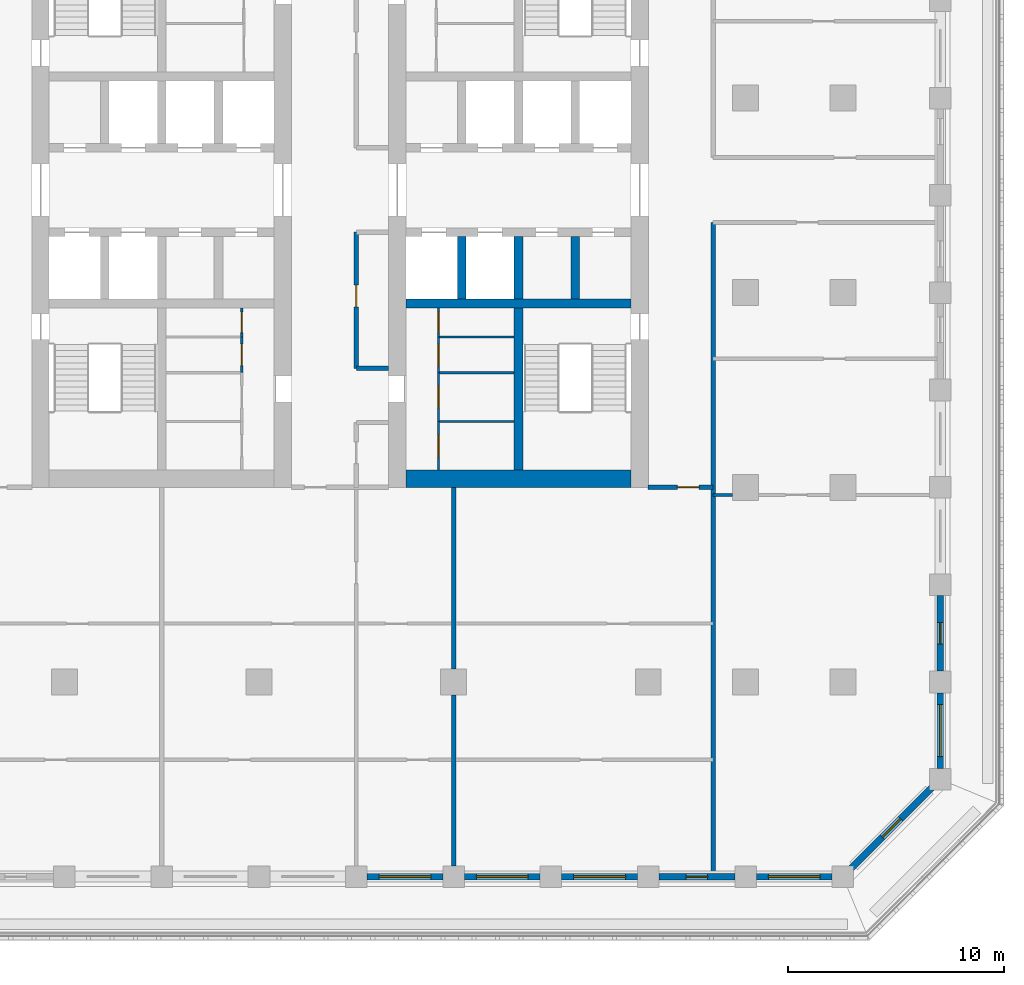
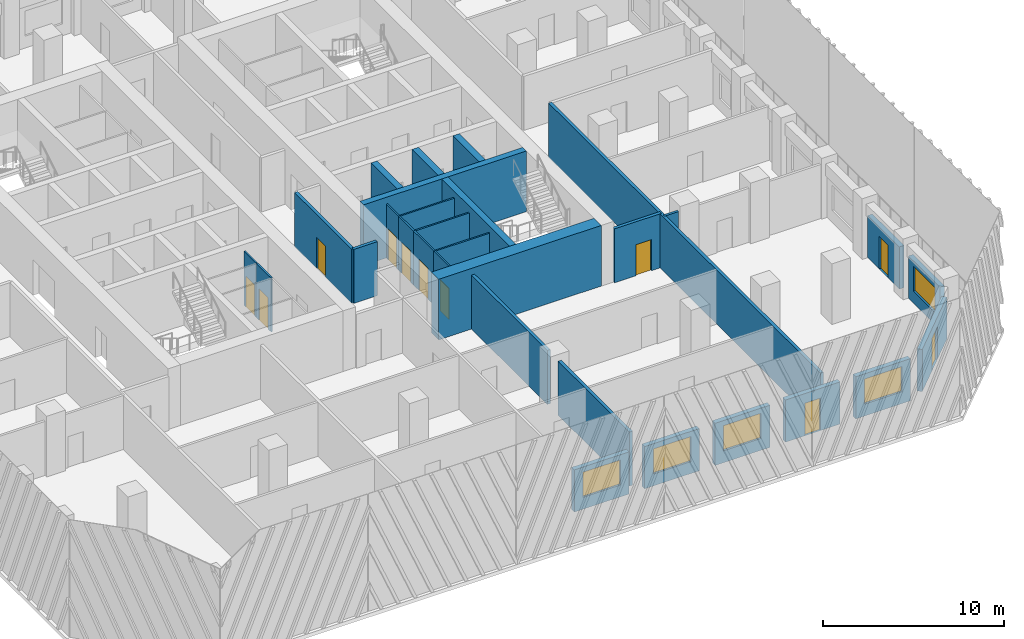
# One storey, part 4 of 17: 30 walls, 11 doors, 5 windows, 16 openings.
"""IFC4 building model written with IfcOpenShell, lengths in metres."""

from ifc_helpers import new_model, si_unit, direction, frame, frame_2d, origin, place, context, subcontext, project, spatial, rectangle, extrude, material, layer, layer_set, type_object, element, fill, save


model = new_model("IFC4")

# Units and contexts
model_context = context("Model", 3, precision=1e-05, world=origin(), true_north=direction((0.0, 1.0)))
body_context = subcontext(model_context, "Body", "Model", "MODEL_VIEW")
ifc_project = project(units=[si_unit("LENGTHUNIT", "METRE"), si_unit("AREAUNIT", "SQUARE_METRE"), si_unit("VOLUMEUNIT", "CUBIC_METRE"), si_unit("PLANEANGLEUNIT", "RADIAN"), si_unit("MASSUNIT", "GRAM", prefix="KILO")], contexts=[model_context])

# Site, building, storey
site_placement = place(None, origin())
site = spatial("IfcSite", under=ifc_project, at=site_placement, CompositionType="ELEMENT")
building_placement = place(site_placement, origin())
building = spatial("IfcBuilding", under=site, at=building_placement, Name="Corbel Stack Research Tower", CompositionType="ELEMENT")
storey_placement = place(building_placement, frame((0.0, 0.0, 207.89990234375)))
storey = spatial("IfcBuildingStorey", under=building, at=storey_placement, Name="L47", CompositionType="ELEMENT", Elevation=207.89990234375)

# Walls
ifc_material_1 = material(Name="Concrete C60/75", Category="concrete")
ifc_layer_1 = layer(ifc_material_1, 0.39990234375)
ifc_layer_set_1 = layer_set([ifc_layer_1], Name="Concrete C60/75")
wall_type_1 = type_object("IfcWallType", Name="CW-400-60", PredefinedType="SHEAR", material=ifc_layer_set_1)
wall_1_placement = place(storey_placement, frame((6.800048828125, -0.5, 0.0), z_axis=(0.0, 0.0, 1.0), x_axis=(1.0, 0.0, 0.0)))
element("IfcWall", 1, at=wall_1_placement, inside=storey, type_object=wall_type_1, Name="East core wall, south row back L47", PredefinedType="SHEAR", context=body_context, shape_type="SweptSolid", body=[
    extrude(rectangle(XDim=10.39990234375, YDim=0.39990234375, at=frame_2d((5.199951171875, 0.0))), origin(), (0.0, 0.0, 1.0), 4.10009765625),
])
for number, where, z_axis, x_axis, name in (
    (2, (9.375, -0.300048828125, 0.0), (0.0, 0.0, 1.0), (0.0, 1.0, 0.0), "East core wall, south shaft 1 L47"),
    (3, (12.0, -0.300048828125, 0.0), (0.0, 0.0, 1.0), (0.0, 1.0, 0.0), "East core wall, south shaft 2 L47"),
    (4, (14.625, -0.300048828125, 0.0), (0.0, 0.0, 1.0), (0.0, 1.0, 0.0), "East core wall, south shaft 3 L47"),
):
    element("IfcWall", number, at=place(storey_placement, frame(where, z_axis=z_axis, x_axis=x_axis)), inside=storey, type_object=wall_type_1, Name=name, PredefinedType="SHEAR", context=body_context, shape_type="SweptSolid", body=[
        extrude(rectangle(XDim=2.900146484375, YDim=0.39990234375, at=frame_2d((1.4501953125, 0.0))), origin(), (0.0, 0.0, 1.0), 4.10009765625),
    ])
wall_2_placement = place(storey_placement, frame((12.0, -8.199951171875, 0.0), z_axis=(0.0, 0.0, 1.0), x_axis=(0.0, 1.0, 0.0)))
element("IfcWall", 5, at=wall_2_placement, inside=storey, type_object=wall_type_1, Name="East core wall, south stair and WC L47", PredefinedType="SHEAR", context=body_context, shape_type="SweptSolid", body=[
    extrude(rectangle(XDim=7.5, YDim=0.39990234375, at=frame_2d((3.75, 0.0))), origin(), (0.0, 0.0, 1.0), 4.10009765625),
])
ifc_material_2 = material(Name="Concrete C60/75", Category="concrete")
ifc_layer_2 = layer(ifc_material_2, 0.800048828125)
ifc_layer_set_2 = layer_set([ifc_layer_2], Name="Concrete C60/75")
wall_type_2 = type_object("IfcWallType", Name="CW-800-60", PredefinedType="SHEAR", material=ifc_layer_set_2)
wall_3_placement = place(storey_placement, frame((6.800048828125, -8.60009765625, 0.0), z_axis=(0.0, 0.0, 1.0), x_axis=(1.0, 0.0, 0.0)))
element("IfcWall", 6, at=wall_3_placement, inside=storey, type_object=wall_type_2, Name="East core wall, south end L47", PredefinedType="SHEAR", context=body_context, shape_type="SweptSolid", body=[
    extrude(rectangle(XDim=10.39990234375, YDim=0.800048828125, at=frame_2d((5.199951171875, 0.0))), origin(), (0.0, 0.0, 1.0), 4.10009765625),
])

# Wall, opening, door
ifc_material_3 = material(Name="Gypsum board")
ifc_layer_3 = layer(ifc_material_3, 0.10009765625)
ifc_layer_set_3 = layer_set([ifc_layer_3], Name="Gypsum board")
wall_type_3 = type_object("IfcWallType", Name="Core partition 100", PredefinedType="PARTITIONING", material=ifc_layer_set_3)
wall_4_placement = place(storey_placement, frame((-0.800048828125, -3.699951171875, 0.0), z_axis=(0.0, 0.0, 1.0), x_axis=(0.0, 1.0, 0.0)))
wall_4 = element("IfcWall", 7, at=wall_4_placement, inside=storey, type_object=wall_type_3, Name="Core partition W", PredefinedType="PARTITIONING", context=body_context, shape_type="SweptSolid", body=[
    extrude(rectangle(XDim=1.64990234375, YDim=0.10009765625, at=frame_2d((0.824951171875, 0.0))), origin(), (0.0, 0.0, 1.0), 3.650146484375),
])
opening_1_placement = place(wall_4_placement, frame((0.324951171875, 0.0, 0.0)))
opening_1 = element("IfcOpeningElement", 8, at=opening_1_placement, cuts=wall_4, Name="Opening CR-W42-W4-1000", PredefinedType="OPENING", context=body_context, shape_type="SweptSolid", body=[
    extrude(rectangle(XDim=1.0, YDim=2.10009765625, at=frame_2d((0.5, 1.050048828125))), frame((0.0, 0.06005859375, 0.0), z_axis=(0.0, -1.0, 0.0), x_axis=(1.0, 0.0, 0.0)), (0.0, 0.0, 1.0), 0.1201171875),
])
ifc_material_4 = material(Name="Painted timber door", Category="wood")
door_type_1 = type_object("IfcDoorType", Name="WC door 1000 x 2100 right hand", OperationType="SINGLE_SWING_RIGHT", PredefinedType="DOOR", material=ifc_material_4)
door_1_placement = place(opening_1_placement, origin())
door_1 = element("IfcDoor", 9, at=door_1_placement, inside=storey, type_object=door_type_1, Name="Accessible WC door W core", OperationType="SINGLE_SWING_RIGHT", OverallHeight=2.10009765625, OverallWidth=1.0, PredefinedType="DOOR", context=body_context, shape_type="SweptSolid", body=[
    extrude(rectangle(XDim=1.0, YDim=2.10009765625, at=frame_2d((0.5, 1.050048828125))), frame((0.0, 0.02490234375, 0.0), z_axis=(0.0, -1.0, 0.0), x_axis=(1.0, 0.0, 0.0)), (0.0, 0.0, 1.0), 0.050048828125),
])
fill(opening_1, door_1)

wall_5_placement = place(storey_placement, frame((-0.800048828125, -2.050048828125, 0.0), z_axis=(0.0, 0.0, 1.0), x_axis=(0.0, 1.0, 0.0)))
wall_5 = element("IfcWall", 10, at=wall_5_placement, inside=storey, type_object=wall_type_3, Name="Core partition W", PredefinedType="PARTITIONING", context=body_context, shape_type="SweptSolid", body=[
    extrude(rectangle(XDim=1.35009765625, YDim=0.10009765625, at=frame_2d((0.675048828125, 0.0))), origin(), (0.0, 0.0, 1.0), 3.650146484375),
])
opening_2_placement = place(wall_5_placement, frame((0.199951171875, 0.0, 0.0)))
opening_2 = element("IfcOpeningElement", 11, at=opening_2_placement, cuts=wall_5, Name="Opening CR-W42-W5-950", PredefinedType="OPENING", context=body_context, shape_type="SweptSolid", body=[
    extrude(rectangle(XDim=0.949951171875, YDim=2.10009765625, at=frame_2d((0.47509765625, 1.050048828125))), frame((0.0, 0.06005859375, 0.0), z_axis=(0.0, -1.0, 0.0), x_axis=(1.0, 0.0, 0.0)), (0.0, 0.0, 1.0), 0.1201171875),
])
ifc_material_5 = material(Name="Painted steel door", Category="steel")
door_type_2 = type_object("IfcDoorType", Name="Service door 950 x 2100 FD30 left hand", OperationType="SINGLE_SWING_LEFT", PredefinedType="DOOR", material=ifc_material_5)
door_2_placement = place(opening_2_placement, origin())
door_2 = element("IfcDoor", 12, at=door_2_placement, inside=storey, type_object=door_type_2, Name="Cleaner's store door W core", OperationType="SINGLE_SWING_LEFT", OverallHeight=2.10009765625, OverallWidth=0.949951171875, PredefinedType="DOOR", context=body_context, shape_type="SweptSolid", body=[
    extrude(rectangle(XDim=0.949951171875, YDim=2.10009765625, at=frame_2d((0.47509765625, 1.050048828125))), frame((0.0, 0.02490234375, 0.0), z_axis=(0.0, -1.0, 0.0), x_axis=(1.0, 0.0, 0.0)), (0.0, 0.0, 1.0), 0.050048828125),
])
fill(opening_2, door_2)

wall_6_placement = place(storey_placement, frame((8.300048828125, -8.199951171875, 0.0), z_axis=(0.0, 0.0, 1.0), x_axis=(0.0, 1.0, 0.0)))
wall_6 = element("IfcWall", 13, at=wall_6_placement, inside=storey, type_object=wall_type_3, Name="Core partition E", PredefinedType="PARTITIONING", context=body_context, shape_type="SweptSolid", body=[
    extrude(rectangle(XDim=2.25, YDim=0.10009765625, at=frame_2d((1.125, 0.0))), origin(), (0.0, 0.0, 1.0), 3.650146484375),
])
opening_3_placement = place(wall_6_placement, frame((0.625, 0.0, 0.0)))
opening_3 = element("IfcOpeningElement", 14, at=opening_3_placement, cuts=wall_6, Name="Opening CR-E42-W2-1000", PredefinedType="OPENING", context=body_context, shape_type="SweptSolid", body=[
    extrude(rectangle(XDim=1.0, YDim=2.10009765625, at=frame_2d((0.5, 1.050048828125))), frame((0.0, 0.06005859375, 0.0), z_axis=(0.0, -1.0, 0.0), x_axis=(1.0, 0.0, 0.0)), (0.0, 0.0, 1.0), 0.1201171875),
])
ifc_material_6 = material(Name="Painted timber door", Category="wood")
door_type_3 = type_object("IfcDoorType", Name="WC door 1000 x 2100 left hand", OperationType="SINGLE_SWING_LEFT", PredefinedType="DOOR", material=ifc_material_6)
door_3_placement = place(opening_3_placement, origin())
door_3 = element("IfcDoor", 15, at=door_3_placement, inside=storey, type_object=door_type_3, Name="Men's WC door E core", OperationType="SINGLE_SWING_LEFT", OverallHeight=2.10009765625, OverallWidth=1.0, PredefinedType="DOOR", context=body_context, shape_type="SweptSolid", body=[
    extrude(rectangle(XDim=1.0, YDim=2.10009765625, at=frame_2d((0.5, 1.050048828125))), frame((0.0, 0.02490234375, 0.0), z_axis=(0.0, -1.0, 0.0), x_axis=(1.0, 0.0, 0.0)), (0.0, 0.0, 1.0), 0.050048828125),
])
fill(opening_3, door_3)

wall_7_placement = place(storey_placement, frame((8.300048828125, -5.949951171875, 0.0), z_axis=(0.0, 0.0, 1.0), x_axis=(0.0, 1.0, 0.0)))
wall_7 = element("IfcWall", 16, at=wall_7_placement, inside=storey, type_object=wall_type_3, Name="Core partition E", PredefinedType="PARTITIONING", context=body_context, shape_type="SweptSolid", body=[
    extrude(rectangle(XDim=2.25, YDim=0.10009765625, at=frame_2d((1.125, 0.0))), origin(), (0.0, 0.0, 1.0), 3.650146484375),
])
opening_4_placement = place(wall_7_placement, frame((0.625, 0.0, 0.0)))
opening_4 = element("IfcOpeningElement", 17, at=opening_4_placement, cuts=wall_7, Name="Opening CR-E42-W3-1000", PredefinedType="OPENING", context=body_context, shape_type="SweptSolid", body=[
    extrude(rectangle(XDim=1.0, YDim=2.10009765625, at=frame_2d((0.5, 1.050048828125))), frame((0.0, 0.06005859375, 0.0), z_axis=(0.0, -1.0, 0.0), x_axis=(1.0, 0.0, 0.0)), (0.0, 0.0, 1.0), 0.1201171875),
])
door_4_placement = place(opening_4_placement, origin())
door_4 = element("IfcDoor", 18, at=door_4_placement, inside=storey, type_object=door_type_1, Name="Women's WC door E core", OperationType="SINGLE_SWING_RIGHT", OverallHeight=2.10009765625, OverallWidth=1.0, PredefinedType="DOOR", context=body_context, shape_type="SweptSolid", body=[
    extrude(rectangle(XDim=1.0, YDim=2.10009765625, at=frame_2d((0.5, 1.050048828125))), frame((0.0, 0.02490234375, 0.0), z_axis=(0.0, -1.0, 0.0), x_axis=(1.0, 0.0, 0.0)), (0.0, 0.0, 1.0), 0.050048828125),
])
fill(opening_4, door_4)

wall_8_placement = place(storey_placement, frame((8.300048828125, -3.699951171875, 0.0), z_axis=(0.0, 0.0, 1.0), x_axis=(0.0, 1.0, 0.0)))
wall_8 = element("IfcWall", 19, at=wall_8_placement, inside=storey, type_object=wall_type_3, Name="Core partition E", PredefinedType="PARTITIONING", context=body_context, shape_type="SweptSolid", body=[
    extrude(rectangle(XDim=1.64990234375, YDim=0.10009765625, at=frame_2d((0.824951171875, 0.0))), origin(), (0.0, 0.0, 1.0), 3.650146484375),
])
opening_5_placement = place(wall_8_placement, frame((0.324951171875, 0.0, 0.0)))
opening_5 = element("IfcOpeningElement", 20, at=opening_5_placement, cuts=wall_8, Name="Opening CR-E42-W4-1000", PredefinedType="OPENING", context=body_context, shape_type="SweptSolid", body=[
    extrude(rectangle(XDim=1.0, YDim=2.10009765625, at=frame_2d((0.5, 1.050048828125))), frame((0.0, 0.06005859375, 0.0), z_axis=(0.0, -1.0, 0.0), x_axis=(1.0, 0.0, 0.0)), (0.0, 0.0, 1.0), 0.1201171875),
])
door_5_placement = place(opening_5_placement, origin())
door_5 = element("IfcDoor", 21, at=door_5_placement, inside=storey, type_object=door_type_3, Name="Accessible WC door E core", OperationType="SINGLE_SWING_LEFT", OverallHeight=2.10009765625, OverallWidth=1.0, PredefinedType="DOOR", context=body_context, shape_type="SweptSolid", body=[
    extrude(rectangle(XDim=1.0, YDim=2.10009765625, at=frame_2d((0.5, 1.050048828125))), frame((0.0, 0.02490234375, 0.0), z_axis=(0.0, -1.0, 0.0), x_axis=(1.0, 0.0, 0.0)), (0.0, 0.0, 1.0), 0.050048828125),
])
fill(opening_5, door_5)

wall_9_placement = place(storey_placement, frame((8.300048828125, -2.050048828125, 0.0), z_axis=(0.0, 0.0, 1.0), x_axis=(0.0, 1.0, 0.0)))
wall_9 = element("IfcWall", 22, at=wall_9_placement, inside=storey, type_object=wall_type_3, Name="Core partition E", PredefinedType="PARTITIONING", context=body_context, shape_type="SweptSolid", body=[
    extrude(rectangle(XDim=1.35009765625, YDim=0.10009765625, at=frame_2d((0.675048828125, 0.0))), origin(), (0.0, 0.0, 1.0), 3.650146484375),
])
opening_6_placement = place(wall_9_placement, frame((0.199951171875, 0.0, 0.0)))
opening_6 = element("IfcOpeningElement", 23, at=opening_6_placement, cuts=wall_9, Name="Opening CR-E42-W5-950", PredefinedType="OPENING", context=body_context, shape_type="SweptSolid", body=[
    extrude(rectangle(XDim=0.949951171875, YDim=2.10009765625, at=frame_2d((0.47509765625, 1.050048828125))), frame((0.0, 0.06005859375, 0.0), z_axis=(0.0, -1.0, 0.0), x_axis=(1.0, 0.0, 0.0)), (0.0, 0.0, 1.0), 0.1201171875),
])
ifc_material_7 = material(Name="Painted steel door", Category="steel")
door_type_4 = type_object("IfcDoorType", Name="Service door 950 x 2100 FD30 right hand", OperationType="SINGLE_SWING_RIGHT", PredefinedType="DOOR", material=ifc_material_7)
door_6_placement = place(opening_6_placement, origin())
door_6 = element("IfcDoor", 24, at=door_6_placement, inside=storey, type_object=door_type_4, Name="Cleaner's store door E core", OperationType="SINGLE_SWING_RIGHT", OverallHeight=2.10009765625, OverallWidth=0.949951171875, PredefinedType="DOOR", context=body_context, shape_type="SweptSolid", body=[
    extrude(rectangle(XDim=0.949951171875, YDim=2.10009765625, at=frame_2d((0.47509765625, 1.050048828125))), frame((0.0, 0.02490234375, 0.0), z_axis=(0.0, -1.0, 0.0), x_axis=(1.0, 0.0, 0.0)), (0.0, 0.0, 1.0), 0.050048828125),
])
fill(opening_6, door_6)

# Walls
for number, where, z_axis, x_axis, name in (
    (25, (8.300048828125, -5.949951171875, 0.0), (0.0, 0.0, 1.0), (1.0, 0.0, 0.0), "Core partition E"),
    (26, (8.300048828125, -3.699951171875, 0.0), (0.0, 0.0, 1.0), (1.0, 0.0, 0.0), "Core partition E"),
    (27, (8.300048828125, -2.050048828125, 0.0), (0.0, 0.0, 1.0), (1.0, 0.0, 0.0), "Core partition E"),
):
    element("IfcWall", number, at=place(storey_placement, frame(where, z_axis=z_axis, x_axis=x_axis)), inside=storey, type_object=wall_type_3, Name=name, PredefinedType="PARTITIONING", context=body_context, shape_type="SweptSolid", body=[
        extrude(rectangle(XDim=3.5, YDim=0.10009765625, at=frame_2d((1.75, 0.0))), origin(), (0.0, 0.0, 1.0), 3.650146484375),
    ])

# Wall, opening, door
ifc_material_8 = material(Name="Fire-rated gypsum board partition on steel studs", Category="steel")
ifc_layer_4 = layer(ifc_material_8, 0.199951171875)
ifc_layer_set_4 = layer_set([ifc_layer_4], Name="Fire-rated gypsum board partition on steel studs")
wall_type_4 = type_object("IfcWallType", Name="Fire-rated partition 200 EI 60", PredefinedType="PARTITIONING", material=ifc_layer_set_4)
wall_10_placement = place(storey_placement, frame((4.5, 2.800048828125, 0.0), z_axis=(0.0, 0.0, 1.0), x_axis=(0.0, -1.0, 0.0)))
wall_10 = element("IfcWall", 28, at=wall_10_placement, inside=storey, type_object=wall_type_4, Name="Partition L47-008", PredefinedType="PARTITIONING", context=body_context, shape_type="SweptSolid", body=[
    extrude(rectangle(XDim=6.300048828125, YDim=0.199951171875, at=frame_2d((3.14990234375, 0.0))), origin(), (0.0, 0.0, 1.0), 3.650146484375),
])
opening_7_placement = place(wall_10_placement, frame((2.449951171875, 0.0, 0.0)))
opening_7 = element("IfcOpeningElement", 29, at=opening_7_placement, cuts=wall_10, Name="Opening B6V1-020", PredefinedType="OPENING", context=body_context, shape_type="SweptSolid", body=[
    extrude(rectangle(XDim=1.0, YDim=2.10009765625, at=frame_2d((0.5, 1.050048828125))), frame((0.0, 0.10986328125, 0.0), z_axis=(0.0, -1.0, 0.0), x_axis=(1.0, 0.0, 0.0)), (0.0, 0.0, 1.0), 0.219970703125),
])
ifc_material_9 = material(Name="Painted steel fire door", Category="steel")
door_type_5 = type_object("IfcDoorType", Name="Fire door FD30S 1000 x 2100", OperationType="NOTDEFINED", PredefinedType="DOOR", material=ifc_material_9)
door_7_placement = place(opening_7_placement, origin())
door_7 = element("IfcDoor", 30, at=door_7_placement, inside=storey, type_object=door_type_5, Name="Door B6V1-020", OperationType="SINGLE_SWING_LEFT", OverallHeight=2.10009765625, OverallWidth=1.0, PredefinedType="DOOR", context=body_context, shape_type="SweptSolid", body=[
    extrude(rectangle(XDim=1.0, YDim=2.10009765625, at=frame_2d((0.5, 1.050048828125))), frame((0.0, 0.02490234375, 0.0), z_axis=(0.0, -1.0, 0.0), x_axis=(1.0, 0.0, 0.0)), (0.0, 0.0, 1.0), 0.050048828125),
])
fill(opening_7, door_7)

# Walls
wall_11_placement = place(storey_placement, frame((9.0, -26.5, 0.0), z_axis=(0.0, 0.0, 1.0), x_axis=(0.0, 1.0, 0.0)))
element("IfcWall", 31, at=wall_11_placement, inside=storey, type_object=wall_type_4, Name="Partition L47-010", PredefinedType="PARTITIONING", context=body_context, shape_type="SweptSolid", body=[
    extrude(rectangle(XDim=7.89990234375, YDim=0.199951171875, at=frame_2d((3.949951171875, 0.0))), origin(), (0.0, 0.0, 1.0), 3.650146484375),
])
wall_12_placement = place(storey_placement, frame((9.0, -17.39990234375, 0.0), z_axis=(0.0, 0.0, 1.0), x_axis=(0.0, 1.0, 0.0)))
element("IfcWall", 32, at=wall_12_placement, inside=storey, type_object=wall_type_4, Name="Partition L47-011", PredefinedType="PARTITIONING", context=body_context, shape_type="SweptSolid", body=[
    extrude(rectangle(XDim=8.39990234375, YDim=0.199951171875, at=frame_2d((4.199951171875, 0.0))), origin(), (0.0, 0.0, 1.0), 3.650146484375),
])
wall_13_placement = place(storey_placement, frame((21.0, -26.85009765625, 0.0), z_axis=(0.0, 0.0, 1.0), x_axis=(0.0, 1.0, 0.0)))
element("IfcWall", 33, at=wall_13_placement, inside=storey, type_object=wall_type_4, Name="Partition L47-014", PredefinedType="PARTITIONING", context=body_context, shape_type="SweptSolid", body=[
    extrude(rectangle(XDim=30.10009765625, YDim=0.199951171875, at=frame_2d((15.050048828125, 0.0))), origin(), (0.0, 0.0, 1.0), 3.650146484375),
])

# Wall, opening, door
wall_14_placement = place(storey_placement, frame((21.0, -9.0, 0.0), z_axis=(0.0, 0.0, 1.0), x_axis=(-1.0, 0.0, 0.0)))
wall_14 = element("IfcWall", 34, at=wall_14_placement, inside=storey, type_object=wall_type_4, Name="Partition L47-025", PredefinedType="PARTITIONING", context=body_context, shape_type="SweptSolid", body=[
    extrude(rectangle(XDim=3.0, YDim=0.199951171875, at=frame_2d((1.5, 0.0))), origin(), (0.0, 0.0, 1.0), 3.650146484375),
])
opening_8_placement = place(wall_14_placement, frame((0.64990234375, 0.0, 0.0)))
opening_8 = element("IfcOpeningElement", 35, at=opening_8_placement, cuts=wall_14, Name="Opening B6V1-013", PredefinedType="OPENING", context=body_context, shape_type="SweptSolid", body=[
    extrude(rectangle(XDim=1.0, YDim=2.10009765625, at=frame_2d((0.5, 1.050048828125))), frame((0.0, 0.10986328125, 0.0), z_axis=(0.0, -1.0, 0.0), x_axis=(1.0, 0.0, 0.0)), (0.0, 0.0, 1.0), 0.219970703125),
])
door_8_placement = place(opening_8_placement, origin())
door_8 = element("IfcDoor", 36, at=door_8_placement, inside=storey, type_object=door_type_5, Name="Door B6V1-013", OperationType="SINGLE_SWING_LEFT", OverallHeight=2.10009765625, OverallWidth=1.0, PredefinedType="DOOR", context=body_context, shape_type="SweptSolid", body=[
    extrude(rectangle(XDim=1.0, YDim=2.10009765625, at=frame_2d((0.5, 1.050048828125))), frame((0.0, 0.02490234375, 0.0), z_axis=(0.0, -1.0, 0.0), x_axis=(1.0, 0.0, 0.0)), (0.0, 0.0, 1.0), 0.050048828125),
])
fill(opening_8, door_8)

# Walls
wall_15_placement = place(storey_placement, frame((4.5, -3.5, 0.0), z_axis=(0.0, 0.0, 1.0), x_axis=(1.0, 0.0, 0.0)))
element("IfcWall", 37, at=wall_15_placement, inside=storey, type_object=wall_type_4, Name="Partition L47-027", PredefinedType="PARTITIONING", context=body_context, shape_type="SweptSolid", body=[
    extrude(rectangle(XDim=1.5, YDim=0.199951171875, at=frame_2d((0.75, 0.0))), origin(), (0.0, 0.0, 1.0), 3.650146484375),
])
ifc_material_10 = material(Name="Gypsum board partition on steel studs", Category="steel")
ifc_layer_5 = layer(ifc_material_10, 0.14990234375)
ifc_layer_set_5 = layer_set([ifc_layer_5], Name="Gypsum board partition on steel studs")
wall_type_5 = type_object("IfcWallType", Name="Partition 150", PredefinedType="PARTITIONING", material=ifc_layer_set_5)
wall_16_placement = place(storey_placement, frame((21.0, -9.35009765625, 0.0), z_axis=(0.0, 0.0, 1.0), x_axis=(1.0, 0.0, 0.0)))
element("IfcWall", 38, at=wall_16_placement, inside=storey, type_object=wall_type_5, Name="Partition L47-020", PredefinedType="PARTITIONING", context=body_context, shape_type="SweptSolid", body=[
    extrude(rectangle(XDim=0.89990234375, YDim=0.14990234375, at=frame_2d((0.449951171875, 0.0))), origin(), (0.0, 0.0, 1.0), 3.650146484375),
])

# Wall, opening, window
ifc_material_11 = material(Name="Concrete C45/55", Category="concrete")
ifc_layer_6 = layer(ifc_material_11, 0.300048828125)
ifc_layer_set_6 = layer_set([ifc_layer_6], Name="Concrete C45/55")
wall_type_6 = type_object("IfcWallType", Name="Terracotta-faced concrete wall 300", PredefinedType="SOLIDWALL", material=ifc_layer_set_6)
wall_17_placement = place(storey_placement, frame((8.5, -27.0, 0.0), z_axis=(0.0, 0.0, 1.0), x_axis=(-1.0, 0.0, 0.0)))
wall_17 = element("IfcWall", 39, at=wall_17_placement, inside=storey, type_object=wall_type_6, Name="Facade wall L47 S06", PredefinedType="SOLIDWALL", context=body_context, shape_type="SweptSolid", body=[
    extrude(rectangle(XDim=3.5, YDim=0.300048828125, at=frame_2d((1.75, 0.0))), origin(), (0.0, 0.0, 1.0), 2.85009765625),
])
opening_9_placement = place(wall_17_placement, frame((0.550048828125, 0.0, 0.800048828125)))
opening_9 = element("IfcOpeningElement", 40, at=opening_9_placement, cuts=wall_17, Name="Opening W1", PredefinedType="OPENING", context=body_context, shape_type="SweptSolid", body=[
    extrude(rectangle(XDim=2.39990234375, YDim=1.699951171875, at=frame_2d((1.199951171875, 0.85009765625))), frame((0.0, 0.159912109375, 0.0), z_axis=(0.0, -1.0, 0.0), x_axis=(1.0, 0.0, 0.0)), (0.0, 0.0, 1.0), 0.320068359375),
])
ifc_material_12 = material(Name="Aluminium frame, clear double glazing", Category="aluminium")
window_type = type_object("IfcWindowType", Name="Window W1 2400 x 1700", PartitioningType="SINGLE_PANEL", PredefinedType="WINDOW", material=ifc_material_12)
window_1_placement = place(opening_9_placement, origin())
window_1 = element("IfcWindow", 41, at=window_1_placement, inside=storey, type_object=window_type, Name="Window W1 L47 S06", OverallHeight=1.699951171875, OverallWidth=2.39990234375, PartitioningType="SINGLE_PANEL", PredefinedType="WINDOW", context=body_context, shape_type="SweptSolid", body=[
    extrude(rectangle(XDim=2.39990234375, YDim=1.699951171875, at=frame_2d((1.199951171875, 0.85009765625))), frame((0.0, 0.030029296875, 0.0), z_axis=(0.0, -1.0, 0.0), x_axis=(1.0, 0.0, 0.0)), (0.0, 0.0, 1.0), 0.06005859375),
])
fill(opening_9, window_1)

wall_18_placement = place(storey_placement, frame((13.0, -27.0, 0.0), z_axis=(0.0, 0.0, 1.0), x_axis=(-1.0, 0.0, 0.0)))
wall_18 = element("IfcWall", 42, at=wall_18_placement, inside=storey, type_object=wall_type_6, Name="Facade wall L47 S07", PredefinedType="SOLIDWALL", context=body_context, shape_type="SweptSolid", body=[
    extrude(rectangle(XDim=3.5, YDim=0.300048828125, at=frame_2d((1.75, 0.0))), origin(), (0.0, 0.0, 1.0), 2.85009765625),
])
opening_10_placement = place(wall_18_placement, frame((0.550048828125, 0.0, 0.800048828125)))
opening_10 = element("IfcOpeningElement", 43, at=opening_10_placement, cuts=wall_18, Name="Opening W1", PredefinedType="OPENING", context=body_context, shape_type="SweptSolid", body=[
    extrude(rectangle(XDim=2.39990234375, YDim=1.699951171875, at=frame_2d((1.199951171875, 0.85009765625))), frame((0.0, 0.159912109375, 0.0), z_axis=(0.0, -1.0, 0.0), x_axis=(1.0, 0.0, 0.0)), (0.0, 0.0, 1.0), 0.320068359375),
])
window_2_placement = place(opening_10_placement, origin())
window_2 = element("IfcWindow", 44, at=window_2_placement, inside=storey, type_object=window_type, Name="Window W1 L47 S07", OverallHeight=1.699951171875, OverallWidth=2.39990234375, PartitioningType="SINGLE_PANEL", PredefinedType="WINDOW", context=body_context, shape_type="SweptSolid", body=[
    extrude(rectangle(XDim=2.39990234375, YDim=1.699951171875, at=frame_2d((1.199951171875, 0.85009765625))), frame((0.0, 0.030029296875, 0.0), z_axis=(0.0, -1.0, 0.0), x_axis=(1.0, 0.0, 0.0)), (0.0, 0.0, 1.0), 0.06005859375),
])
fill(opening_10, window_2)

wall_19_placement = place(storey_placement, frame((17.5, -27.0, 0.0), z_axis=(0.0, 0.0, 1.0), x_axis=(-1.0, 0.0, 0.0)))
wall_19 = element("IfcWall", 45, at=wall_19_placement, inside=storey, type_object=wall_type_6, Name="Facade wall L47 S08", PredefinedType="SOLIDWALL", context=body_context, shape_type="SweptSolid", body=[
    extrude(rectangle(XDim=3.5, YDim=0.300048828125, at=frame_2d((1.75, 0.0))), origin(), (0.0, 0.0, 1.0), 2.85009765625),
])
opening_11_placement = place(wall_19_placement, frame((0.550048828125, 0.0, 0.800048828125)))
opening_11 = element("IfcOpeningElement", 46, at=opening_11_placement, cuts=wall_19, Name="Opening W1", PredefinedType="OPENING", context=body_context, shape_type="SweptSolid", body=[
    extrude(rectangle(XDim=2.39990234375, YDim=1.699951171875, at=frame_2d((1.199951171875, 0.85009765625))), frame((0.0, 0.159912109375, 0.0), z_axis=(0.0, -1.0, 0.0), x_axis=(1.0, 0.0, 0.0)), (0.0, 0.0, 1.0), 0.320068359375),
])
window_3_placement = place(opening_11_placement, origin())
window_3 = element("IfcWindow", 47, at=window_3_placement, inside=storey, type_object=window_type, Name="Window W1 L47 S08", OverallHeight=1.699951171875, OverallWidth=2.39990234375, PartitioningType="SINGLE_PANEL", PredefinedType="WINDOW", context=body_context, shape_type="SweptSolid", body=[
    extrude(rectangle(XDim=2.39990234375, YDim=1.699951171875, at=frame_2d((1.199951171875, 0.85009765625))), frame((0.0, 0.030029296875, 0.0), z_axis=(0.0, -1.0, 0.0), x_axis=(1.0, 0.0, 0.0)), (0.0, 0.0, 1.0), 0.06005859375),
])
fill(opening_11, window_3)

# Wall, opening, door
wall_20_placement = place(storey_placement, frame((22.0, -27.0, 0.0), z_axis=(0.0, 0.0, 1.0), x_axis=(-1.0, 0.0, 0.0)))
wall_20 = element("IfcWall", 48, at=wall_20_placement, inside=storey, type_object=wall_type_6, Name="Facade wall L47 S09", PredefinedType="SOLIDWALL", context=body_context, shape_type="SweptSolid", body=[
    extrude(rectangle(XDim=3.5, YDim=0.300048828125, at=frame_2d((1.75, 0.0))), origin(), (0.0, 0.0, 1.0), 2.85009765625),
])
opening_12_placement = place(wall_20_placement, frame((1.25, 0.0, 0.0)))
opening_12 = element("IfcOpeningElement", 49, at=opening_12_placement, cuts=wall_20, Name="Opening L47-B02", PredefinedType="OPENING", context=body_context, shape_type="SweptSolid", body=[
    extrude(rectangle(XDim=1.0, YDim=2.199951171875, at=frame_2d((0.5, 1.10009765625))), frame((0.0, 0.159912109375, 0.0), z_axis=(0.0, -1.0, 0.0), x_axis=(1.0, 0.0, 0.0)), (0.0, 0.0, 1.0), 0.320068359375),
])
ifc_material_13 = material(Name="Aluminium frame, clear double glazing", Category="aluminium")
door_type_6 = type_object("IfcDoorType", Name="Balcony door BD1 1000 x 2200", OperationType="NOTDEFINED", PredefinedType="DOOR", material=ifc_material_13)
door_9_placement = place(opening_12_placement, origin())
door_9 = element("IfcDoor", 50, at=door_9_placement, inside=storey, type_object=door_type_6, Name="Balcony door L47-B02", OperationType="SINGLE_SWING_RIGHT", OverallHeight=2.199951171875, OverallWidth=1.0, PredefinedType="DOOR", context=body_context, shape_type="SweptSolid", body=[
    extrude(rectangle(XDim=1.0, YDim=2.199951171875, at=frame_2d((0.5, 1.10009765625))), frame((0.0, 0.02490234375, 0.0), z_axis=(0.0, -1.0, 0.0), x_axis=(1.0, 0.0, 0.0)), (0.0, 0.0, 1.0), 0.050048828125),
])
fill(opening_12, door_9)

# Wall, opening, window
wall_21_placement = place(storey_placement, frame((26.5, -27.0, 0.0), z_axis=(0.0, 0.0, 1.0), x_axis=(-1.0, 0.0, 0.0)))
wall_21 = element("IfcWall", 51, at=wall_21_placement, inside=storey, type_object=wall_type_6, Name="Facade wall L47 S10", PredefinedType="SOLIDWALL", context=body_context, shape_type="SweptSolid", body=[
    extrude(rectangle(XDim=3.5, YDim=0.300048828125, at=frame_2d((1.75, 0.0))), origin(), (0.0, 0.0, 1.0), 2.85009765625),
])
opening_13_placement = place(wall_21_placement, frame((0.550048828125, 0.0, 0.800048828125)))
opening_13 = element("IfcOpeningElement", 52, at=opening_13_placement, cuts=wall_21, Name="Opening W1", PredefinedType="OPENING", context=body_context, shape_type="SweptSolid", body=[
    extrude(rectangle(XDim=2.39990234375, YDim=1.699951171875, at=frame_2d((1.199951171875, 0.85009765625))), frame((0.0, 0.159912109375, 0.0), z_axis=(0.0, -1.0, 0.0), x_axis=(1.0, 0.0, 0.0)), (0.0, 0.0, 1.0), 0.320068359375),
])
window_4_placement = place(opening_13_placement, origin())
window_4 = element("IfcWindow", 53, at=window_4_placement, inside=storey, type_object=window_type, Name="Window W1 L47 S10", OverallHeight=1.699951171875, OverallWidth=2.39990234375, PartitioningType="SINGLE_PANEL", PredefinedType="WINDOW", context=body_context, shape_type="SweptSolid", body=[
    extrude(rectangle(XDim=2.39990234375, YDim=1.699951171875, at=frame_2d((1.199951171875, 0.85009765625))), frame((0.0, 0.030029296875, 0.0), z_axis=(0.0, -1.0, 0.0), x_axis=(1.0, 0.0, 0.0)), (0.0, 0.0, 1.0), 0.06005859375),
])
fill(opening_13, window_4)

# Wall, opening, door
wall_22_placement = place(storey_placement, frame((31.106201171875, -22.893798828125, 0.0), z_axis=(0.0, 0.0, 1.0), x_axis=(-0.707106781187, -0.707106781187, 0.0)))
wall_22 = element("IfcWall", 54, at=wall_22_placement, inside=storey, type_object=wall_type_6, Name="Facade wall L47 SE01", PredefinedType="SOLIDWALL", context=body_context, shape_type="SweptSolid", body=[
    extrude(rectangle(XDim=5.250244140625, YDim=0.300048828125, at=frame_2d((2.625, 0.0))), origin(), (0.0, 0.0, 1.0), 2.85009765625),
])
opening_14_placement = place(wall_22_placement, frame((2.02490234375, 0.0, 0.0)))
opening_14 = element("IfcOpeningElement", 55, at=opening_14_placement, cuts=wall_22, Name="Opening L47-B03", PredefinedType="OPENING", context=body_context, shape_type="SweptSolid", body=[
    extrude(rectangle(XDim=1.199951171875, YDim=2.199951171875, at=frame_2d((0.60009765625, 1.10009765625))), frame((0.0, 0.159912109375, 0.0), z_axis=(0.0, -1.0, 0.0), x_axis=(1.0, 0.0, 0.0)), (0.0, 0.0, 1.0), 0.320068359375),
])
ifc_material_14 = material(Name="Aluminium frame, clear double glazing", Category="aluminium")
door_type_7 = type_object("IfcDoorType", Name="Balcony door BD2 1200 x 2200", OperationType="NOTDEFINED", PredefinedType="DOOR", material=ifc_material_14)
door_10_placement = place(opening_14_placement, origin())
door_10 = element("IfcDoor", 56, at=door_10_placement, inside=storey, type_object=door_type_7, Name="Balcony door L47-B03", OperationType="SINGLE_SWING_RIGHT", OverallHeight=2.199951171875, OverallWidth=1.199951171875, PredefinedType="DOOR", context=body_context, shape_type="SweptSolid", body=[
    extrude(rectangle(XDim=1.199951171875, YDim=2.199951171875, at=frame_2d((0.60009765625, 1.10009765625))), frame((0.0, 0.02490234375, 0.0), z_axis=(0.0, -1.0, 0.0), x_axis=(1.0, 0.0, 0.0)), (0.0, 0.0, 1.0), 0.050048828125),
])
fill(opening_14, door_10)

# Wall, opening, window
wall_23_placement = place(storey_placement, frame((31.5, -18.5, 0.0), z_axis=(0.0, 0.0, 1.0), x_axis=(0.0, -1.0, 0.0)))
wall_23 = element("IfcWall", 57, at=wall_23_placement, inside=storey, type_object=wall_type_6, Name="Facade wall L47 E01", PredefinedType="SOLIDWALL", context=body_context, shape_type="SweptSolid", body=[
    extrude(rectangle(XDim=3.5, YDim=0.300048828125, at=frame_2d((1.75, 0.0))), origin(), (0.0, 0.0, 1.0), 2.85009765625),
])
opening_15_placement = place(wall_23_placement, frame((0.550048828125, 0.0, 0.800048828125)))
opening_15 = element("IfcOpeningElement", 58, at=opening_15_placement, cuts=wall_23, Name="Opening W1", PredefinedType="OPENING", context=body_context, shape_type="SweptSolid", body=[
    extrude(rectangle(XDim=2.39990234375, YDim=1.699951171875, at=frame_2d((1.199951171875, 0.85009765625))), frame((0.0, 0.159912109375, 0.0), z_axis=(0.0, -1.0, 0.0), x_axis=(1.0, 0.0, 0.0)), (0.0, 0.0, 1.0), 0.320068359375),
])
window_5_placement = place(opening_15_placement, origin())
window_5 = element("IfcWindow", 59, at=window_5_placement, inside=storey, type_object=window_type, Name="Window W1 L47 E01", OverallHeight=1.699951171875, OverallWidth=2.39990234375, PartitioningType="SINGLE_PANEL", PredefinedType="WINDOW", context=body_context, shape_type="SweptSolid", body=[
    extrude(rectangle(XDim=2.39990234375, YDim=1.699951171875, at=frame_2d((1.199951171875, 0.85009765625))), frame((0.0, 0.030029296875, 0.0), z_axis=(0.0, -1.0, 0.0), x_axis=(1.0, 0.0, 0.0)), (0.0, 0.0, 1.0), 0.06005859375),
])
fill(opening_15, window_5)

# Wall, opening, door
wall_24_placement = place(storey_placement, frame((31.5, -14.0, 0.0), z_axis=(0.0, 0.0, 1.0), x_axis=(0.0, -1.0, 0.0)))
wall_24 = element("IfcWall", 60, at=wall_24_placement, inside=storey, type_object=wall_type_6, Name="Facade wall L47 E02", PredefinedType="SOLIDWALL", context=body_context, shape_type="SweptSolid", body=[
    extrude(rectangle(XDim=3.5, YDim=0.300048828125, at=frame_2d((1.75, 0.0))), origin(), (0.0, 0.0, 1.0), 2.85009765625),
])
opening_16_placement = place(wall_24_placement, frame((1.25, 0.0, 0.0)))
opening_16 = element("IfcOpeningElement", 61, at=opening_16_placement, cuts=wall_24, Name="Opening L47-B04", PredefinedType="OPENING", context=body_context, shape_type="SweptSolid", body=[
    extrude(rectangle(XDim=1.0, YDim=2.199951171875, at=frame_2d((0.5, 1.10009765625))), frame((0.0, 0.159912109375, 0.0), z_axis=(0.0, -1.0, 0.0), x_axis=(1.0, 0.0, 0.0)), (0.0, 0.0, 1.0), 0.320068359375),
])
door_11_placement = place(opening_16_placement, origin())
door_11 = element("IfcDoor", 62, at=door_11_placement, inside=storey, type_object=door_type_6, Name="Balcony door L47-B04", OperationType="SINGLE_SWING_LEFT", OverallHeight=2.199951171875, OverallWidth=1.0, PredefinedType="DOOR", context=body_context, shape_type="SweptSolid", body=[
    extrude(rectangle(XDim=1.0, YDim=2.199951171875, at=frame_2d((0.5, 1.10009765625))), frame((0.0, 0.02490234375, 0.0), z_axis=(0.0, -1.0, 0.0), x_axis=(1.0, 0.0, 0.0)), (0.0, 0.0, 1.0), 0.050048828125),
])
fill(opening_16, door_11)

save(model, "model.ifc")
